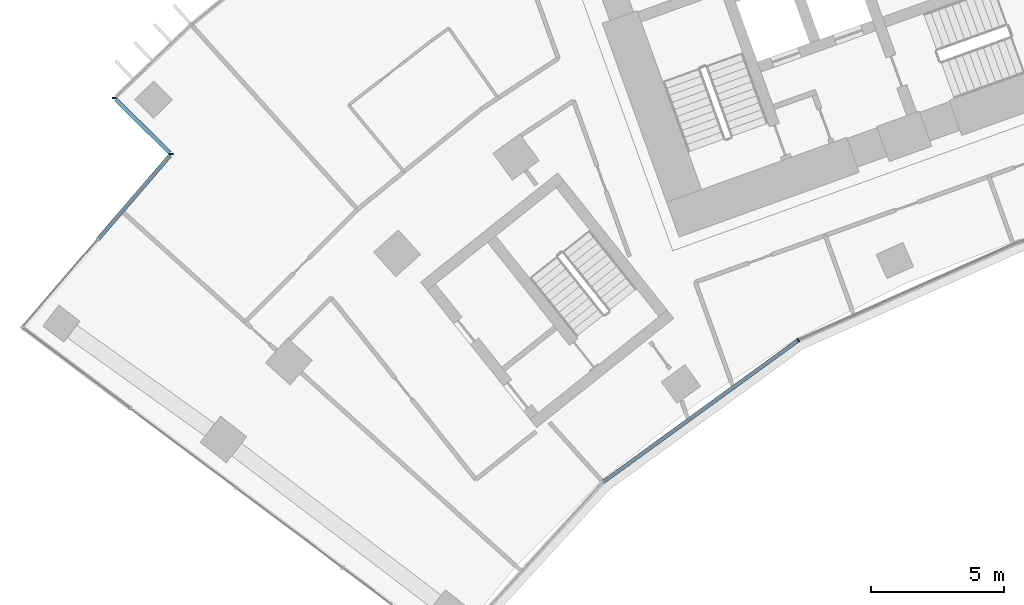
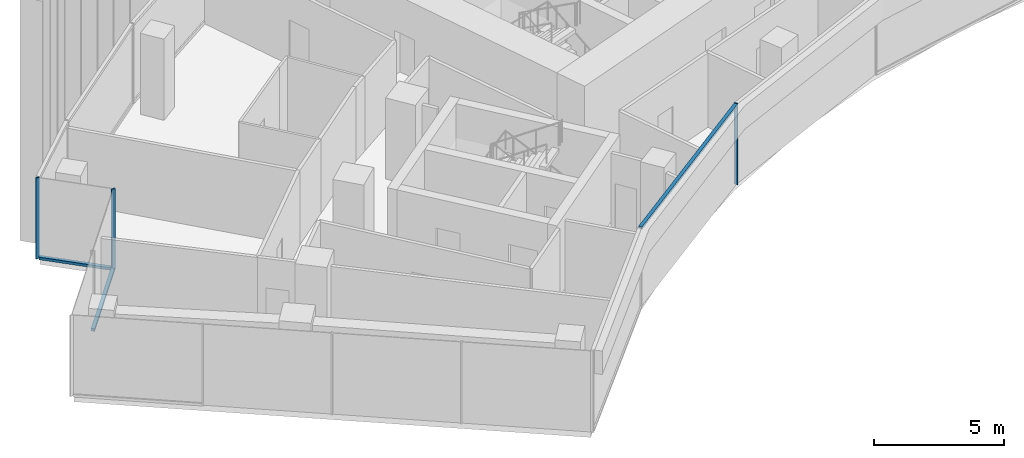
# One storey, part 3 of 23: 6 members, 3 elements without a shape of their own.
"""IFC4 building model written with IfcOpenShell, lengths in metres."""

from ifc_helpers import new_model, si_unit, direction, frame, origin, origin_2d, place, context, subcontext, project, spatial, rectangle, extrude, material, layer, layer_set, material_profile, profile_set, type_object, element, aggregate, save


model = new_model("IFC4")

# Units and contexts
model_context = context("Model", 3, precision=1e-05, world=origin(), true_north=direction((0.0, 1.0)))
body_context = subcontext(model_context, "Body", "Model", "MODEL_VIEW")
ifc_project = project(units=[si_unit("LENGTHUNIT", "METRE"), si_unit("AREAUNIT", "SQUARE_METRE"), si_unit("VOLUMEUNIT", "CUBIC_METRE"), si_unit("PLANEANGLEUNIT", "RADIAN"), si_unit("MASSUNIT", "GRAM", prefix="KILO")], contexts=[model_context])

# Site, building, storey
site_placement = place(None, origin())
site = spatial("IfcSite", under=ifc_project, at=site_placement, CompositionType="ELEMENT")
building_placement = place(site_placement, origin())
building = spatial("IfcBuilding", under=site, at=building_placement, Name="Stone Belt Terrace Tower", CompositionType="ELEMENT")
storey_placement = place(building_placement, frame((0.0, 0.0, 166.800048828125)))
storey = spatial("IfcBuildingStorey", under=building, at=storey_placement, Name="L40", CompositionType="ELEMENT", Elevation=166.800048828125)

# Curtain wall, members
ifc_material = material(Name="Aluminium 6063-T6 anodised frame", Category="aluminium")
ifc_layer_1 = layer(ifc_material, 0.14990234375)
ifc_layer_set_1 = layer_set([ifc_layer_1], Name="CW-B unitised concave-face curtain wall")
curtain_wall_type_1 = type_object("IfcCurtainWallType", Name="CW-B unitised concave-face curtain wall", PredefinedType="NOTDEFINED", material=ifc_layer_set_1)
curtain_wall_1_placement = place(storey_placement, origin())
curtain_wall_1 = element("IfcCurtainWall", 1, at=curtain_wall_1_placement, inside=storey, type_object=curtain_wall_type_1, Name="CW-B concave face L40", PredefinedType="NOTDEFINED")
ifc_material_profile_1 = material_profile(ifc_material, rectangle(XDim=0.14990234375, YDim=0.050048828125, at=origin_2d()), Name="Aluminium 6063-T6 50x150")
ifc_profile_set_1 = profile_set([ifc_material_profile_1], Name="Aluminium 6063-T6 anodised frame")
member_type_1 = type_object("IfcMemberType", Name="CW-B mullion 50 x 150", PredefinedType="MULLION", material=ifc_profile_set_1)
member_1_placement = place(storey_placement, frame((-21.71240234375, 37.606689453125, 0.0), z_axis=(0.0, 0.0, 1.0), x_axis=(-0.5, 0.866025403784, 0.0)))
member_1 = element("IfcMember", 2, at=member_1_placement, type_object=member_type_1, Name="CW-B mullion 3", PredefinedType="MULLION", context=body_context, shape_type="SweptSolid", body=[
    extrude(rectangle(XDim=0.14990234375, YDim=0.050048828125, at=origin_2d()), origin(), (0.0, 0.0, 1.0), 3.800048828125),
])
ifc_material_profile_2 = material_profile(ifc_material, rectangle(XDim=0.14990234375, YDim=0.1201171875, at=origin_2d()), Name="Aluminium 6063-T6 150x120")
ifc_profile_set_2 = profile_set([ifc_material_profile_2], Name="Aluminium 6063-T6 anodised frame")
member_type_2 = type_object("IfcMemberType", Name="CW-B transom 120 x 150", PredefinedType="USERDEFINED", material=ifc_profile_set_2)
member_2_placement = place(storey_placement, frame((-29.03076171875, 32.28955078125, 3.739990234375), z_axis=(0.809008908433, 0.587796381475, 0.0), x_axis=(-0.587796381475, 0.809008908433, 0.0)))
member_2 = element("IfcMember", 3, at=member_2_placement, type_object=member_type_2, Name="CW-B transom 2.1", ObjectType="TRANSOM", PredefinedType="USERDEFINED", context=body_context, shape_type="SweptSolid", body=[
    extrude(rectangle(XDim=0.14990234375, YDim=0.1201171875, at=origin_2d()), origin(), (0.0, 0.0, 1.0), 9.013427734375),
])
aggregate(curtain_wall_1, [member_1, member_2])

# Curtain wall, member
ifc_layer_2 = layer(ifc_material, 0.14990234375)
ifc_layer_set_2 = layer_set([ifc_layer_2], Name="CW-C stick curtain wall, horn ends and notches")
curtain_wall_type_2 = type_object("IfcCurtainWallType", Name="CW-C stick curtain wall, horn ends and notches", PredefinedType="NOTDEFINED", material=ifc_layer_set_2)
curtain_wall_2_placement = place(storey_placement, origin())
curtain_wall_2 = element("IfcCurtainWall", 4, at=curtain_wall_2_placement, inside=storey, type_object=curtain_wall_type_2, Name="CW-C notch face L40", PredefinedType="NOTDEFINED")
ifc_material_profile_3 = material_profile(ifc_material, rectangle(XDim=0.14990234375, YDim=0.06005859375, at=origin_2d()), Name="Aluminium 6063-T6 60x150")
ifc_profile_set_3 = profile_set([ifc_material_profile_3], Name="Aluminium 6063-T6 anodised frame")
member_type_3 = type_object("IfcMemberType", Name="CW-C mullion 60 x 150", PredefinedType="MULLION", material=ifc_profile_set_3)
member_3_placement = place(storey_placement, frame((-47.4365234375, 46.715087890625, 0.0), z_axis=(0.0, 0.0, 1.0), x_axis=(0.999966480105, -0.008187714406, 0.0)))
member_3 = element("IfcMember", 5, at=member_3_placement, type_object=member_type_3, Name="CW-C mullion 1", PredefinedType="MULLION", context=body_context, shape_type="SweptSolid", body=[
    extrude(rectangle(XDim=0.14990234375, YDim=0.06005859375, at=origin_2d()), origin(), (0.0, 0.0, 1.0), 3.800048828125),
])

curtain_wall_3_placement = place(storey_placement, origin())
curtain_wall_3 = element("IfcCurtainWall", 6, at=curtain_wall_3_placement, inside=storey, type_object=curtain_wall_type_2, Name="CW-C notch face L40", PredefinedType="NOTDEFINED")
member_4_placement = place(storey_placement, frame((-45.29638671875, 44.602783203125, 0.0), z_axis=(0.0, 0.0, 1.0), x_axis=(0.999185209744, 0.040359839301, 0.0)))
member_4 = element("IfcMember", 7, at=member_4_placement, type_object=member_type_3, Name="CW-C mullion 1", PredefinedType="MULLION", context=body_context, shape_type="SweptSolid", body=[
    extrude(rectangle(XDim=0.14990234375, YDim=0.06005859375, at=origin_2d()), origin(), (0.0, 0.0, 1.0), 3.800048828125),
])

# Member
ifc_material_profile_4 = material_profile(ifc_material, rectangle(XDim=0.14990234375, YDim=0.1201171875, at=origin_2d()), Name="Aluminium 6063-T6 150x120")
ifc_profile_set_4 = profile_set([ifc_material_profile_4], Name="Aluminium 6063-T6 anodised frame")
member_type_4 = type_object("IfcMemberType", Name="CW-C transom 120 x 150", PredefinedType="USERDEFINED", material=ifc_profile_set_4)
member_5_placement = place(storey_placement, frame((-47.383544921875, 46.66259765625, 0.06005859375), z_axis=(0.711744791626, -0.702438147877, 0.0), x_axis=(0.702438147877, 0.711744791626, 0.0)))
member_5 = element("IfcMember", 8, at=member_5_placement, type_object=member_type_4, Name="CW-C transom 1.1", ObjectType="TRANSOM", PredefinedType="USERDEFINED", context=body_context, shape_type="SweptSolid", body=[
    extrude(rectangle(XDim=0.14990234375, YDim=0.1201171875, at=origin_2d()), origin(), (0.0, 0.0, 1.0), 2.859375),
])

aggregate(curtain_wall_2, [member_3, member_5])

member_6_placement = place(storey_placement, frame((-45.343994140625, 44.54736328125, 0.06005859375), z_axis=(-0.652755588772, -0.757568572029, 0.0), x_axis=(0.757568572029, -0.652755588772, 0.0)))
member_6 = element("IfcMember", 9, at=member_6_placement, type_object=member_type_4, Name="CW-C transom 1.1", ObjectType="TRANSOM", PredefinedType="USERDEFINED", context=body_context, shape_type="SweptSolid", body=[
    extrude(rectangle(XDim=0.14990234375, YDim=0.1201171875, at=origin_2d()), origin(), (0.0, 0.0, 1.0), 4.12060546875),
])

aggregate(curtain_wall_3, [member_4, member_6])

save(model, "model.ifc")
